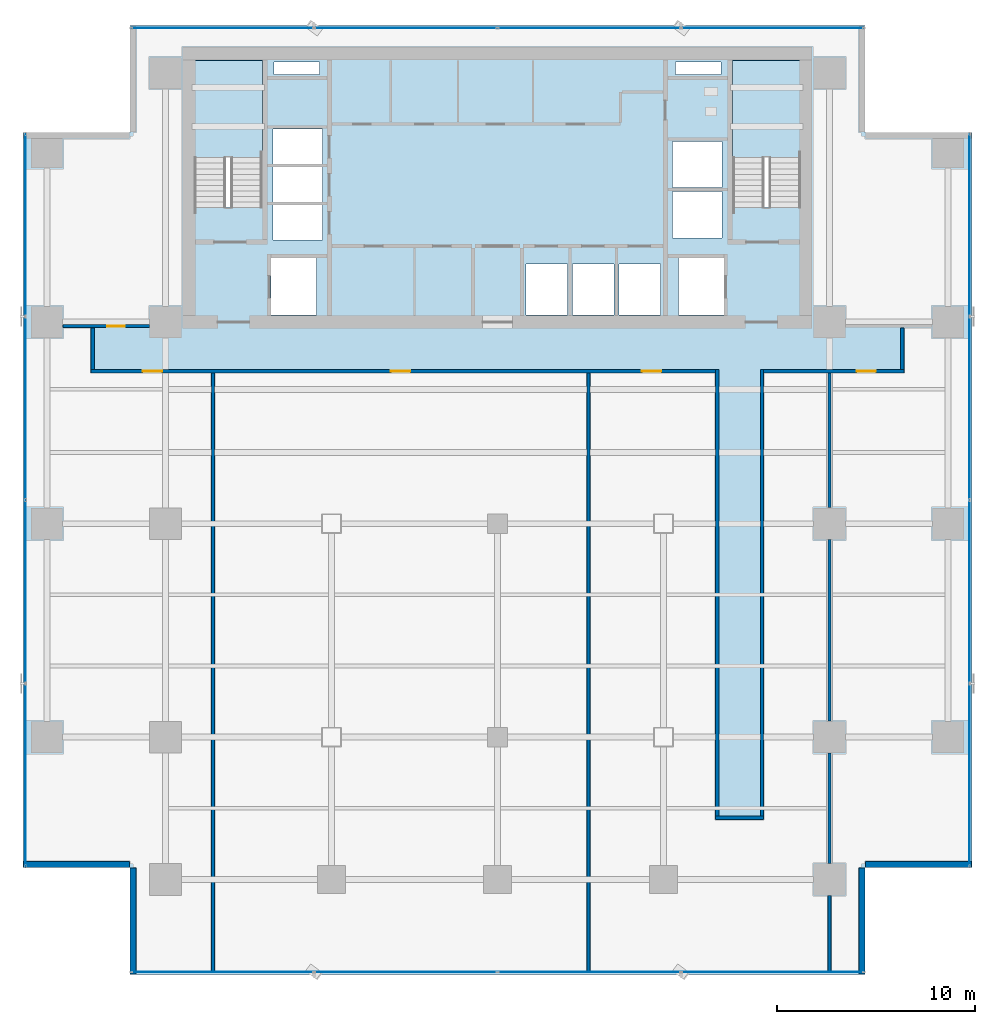
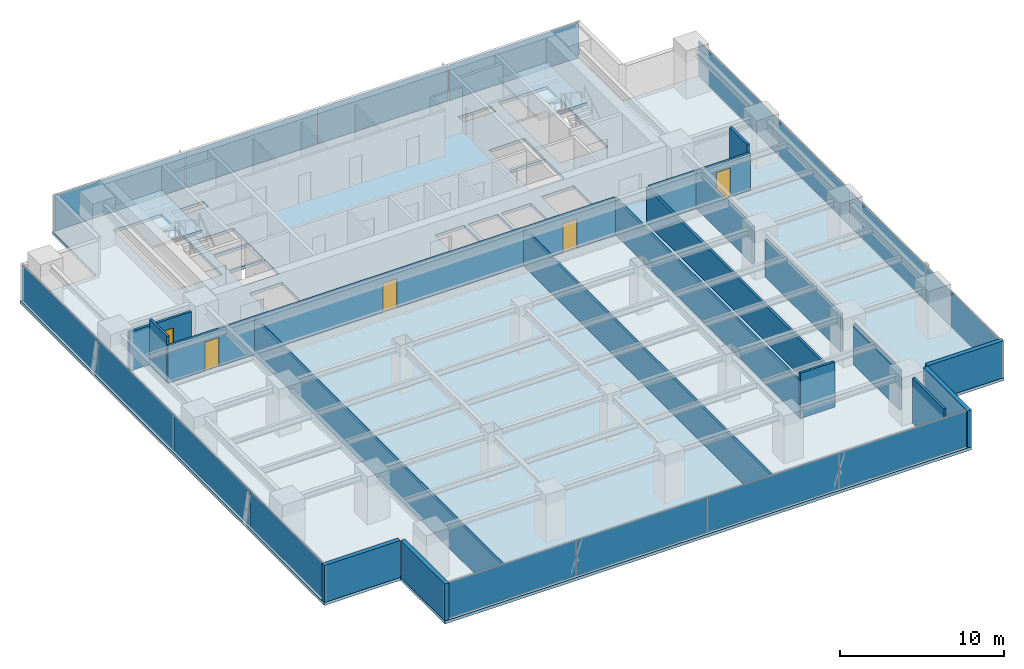
# One storey, part 20 of 27: 18 walls, 16 plates, 5 doors, 3 slabs, 5 openings, 6 elements without a shape of their own.
"""IFC4 building model written with IfcOpenShell, lengths in metres."""

from ifc_helpers import new_model, si_unit, direction, frame, frame_2d, origin, origin_2d, place, context, subcontext, project, spatial, polyline, rectangle, outline, extrude, source, transform, mapped, material, layer, layer_set, type_object, element, fill, aggregate, save


model = new_model("IFC4")

# Units and contexts
model_context = context("Model", 3, precision=1e-05, world=origin(), true_north=direction((0.0, 1.0)))
body_context = subcontext(model_context, "Body", "Model", "MODEL_VIEW")
ifc_project = project(units=[si_unit("LENGTHUNIT", "METRE"), si_unit("AREAUNIT", "SQUARE_METRE"), si_unit("VOLUMEUNIT", "CUBIC_METRE"), si_unit("PLANEANGLEUNIT", "RADIAN"), si_unit("MASSUNIT", "GRAM", prefix="KILO")], contexts=[model_context])

# Site, building, storey
site_placement = place(None, origin())
site = spatial("IfcSite", under=ifc_project, at=site_placement, CompositionType="ELEMENT")
building_placement = place(site_placement, origin())
building = spatial("IfcBuilding", under=site, at=building_placement, Name="Sumidabori Civic Tower", CompositionType="ELEMENT")
storey_placement = place(building_placement, frame((0.0, 0.0, 160.39990234375)))
storey = spatial("IfcBuildingStorey", under=building, at=storey_placement, Name="L41", CompositionType="ELEMENT", Elevation=160.39990234375)

# Stair, slab
ifc_material_1 = material(Name="Concrete C40/50", Category="concrete")
stair_type = type_object("IfcStairType", Name="ST-CORE-1600", PredefinedType="HALF_TURN_STAIR", material=ifc_material_1)
stair_1_placement = place(storey_placement, origin())
stair_1 = element("IfcStair", 1, at=stair_1_placement, inside=storey, type_object=stair_type, Name="L41 ST-1", PredefinedType="HALF_TURN_STAIR")
ifc_layer_1 = layer(ifc_material_1, 0.199951171875, Name="Concrete C40/50")
ifc_layer_set_1 = layer_set([ifc_layer_1], Name="Concrete C40/50")
slab_type_1 = type_object("IfcSlabType", Name="SL-LAND-200", PredefinedType="LANDING", material=ifc_layer_set_1)
slab_1_placement = place(storey_placement, frame((0.0, 0.0, 1.60009765625)))
slab_1 = element("IfcSlab", 2, at=slab_1_placement, type_object=slab_type_1, Name="ST-1 landing 1", PredefinedType="LANDING", context=body_context, shape_type="SweptSolid", body=[
    extrude(outline(polyline([(-11.89990234375, 18.52001953125), (-11.89990234375, 23.449951171875), (-15.340087890625, 23.449951171875), (-15.340087890625, 18.52001953125), (-11.89990234375, 18.52001953125)])), origin(), (0.0, 0.0, 1.0), 0.199951171875),
])
aggregate(stair_1, [slab_1])

stair_2_placement = place(storey_placement, origin())
stair_2 = element("IfcStair", 3, at=stair_2_placement, inside=storey, type_object=stair_type, Name="L41 ST-2", PredefinedType="HALF_TURN_STAIR")
slab_2_placement = place(storey_placement, frame((0.0, 0.0, 1.60009765625)))
slab_2 = element("IfcSlab", 4, at=slab_2_placement, type_object=slab_type_1, Name="ST-2 landing 1", PredefinedType="LANDING", context=body_context, shape_type="SweptSolid", body=[
    extrude(outline(polyline([(15.340087890625, 18.52001953125), (15.340087890625, 23.449951171875), (11.89990234375, 23.449951171875), (11.89990234375, 18.52001953125), (15.340087890625, 18.52001953125)])), origin(), (0.0, 0.0, 1.0), 0.199951171875),
])
aggregate(stair_2, [slab_2])

# Slab
ifc_layer_2 = layer(ifc_material_1, 0.219970703125, Name="Concrete C40/50")
ifc_layer_set_2 = layer_set([ifc_layer_2], Name="Concrete C40/50")
slab_type_2 = type_object("IfcSlabType", Name="SL-Z3-220", PredefinedType="FLOOR", material=ifc_layer_set_2)
slab_3_placement = place(storey_placement, frame((0.0, 0.0, -0.219970703125)))
element("IfcSlab", 5, at=slab_3_placement, inside=storey, type_object=slab_type_2, Name="Structural Slab L41", PredefinedType="FLOOR", context=body_context, shape_type="SweptSolid", body=[
    extrude(outline(polyline([(-18.60009765625, -22.800048828125), (18.60009765625, -22.800048828125), (18.60009765625, -17.39990234375), (24.0, -17.39990234375), (24.0, 19.800048828125), (18.60009765625, 19.800048828125), (18.60009765625, 25.199951171875), (-18.60009765625, 25.199951171875), (-18.60009765625, 19.800048828125), (-24.0, 19.800048828125), (-24.0, -17.39990234375), (-18.60009765625, -17.39990234375), (-18.60009765625, -22.800048828125)]), holes=[polyline([(-11.89990234375, 16.0), (-11.89990234375, 23.449951171875), (-15.340087890625, 23.449951171875), (-15.340087890625, 16.0), (-11.89990234375, 16.0)]), polyline([(15.340087890625, 16.0), (15.340087890625, 23.449951171875), (11.89990234375, 23.449951171875), (11.89990234375, 16.0), (15.340087890625, 16.0)]), polyline([(-11.449951171875, 10.550048828125), (-9.14990234375, 10.550048828125), (-9.14990234375, 13.449951171875), (-11.449951171875, 13.449951171875), (-11.449951171875, 10.550048828125)]), polyline([(9.14990234375, 10.550048828125), (11.449951171875, 10.550048828125), (11.449951171875, 13.449951171875), (9.14990234375, 13.449951171875), (9.14990234375, 10.550048828125)]), polyline([(1.449951171875, 10.550048828125), (3.550048828125, 10.550048828125), (3.550048828125, 13.14990234375), (1.449951171875, 13.14990234375), (1.449951171875, 10.550048828125)]), polyline([(3.800048828125, 10.550048828125), (5.89990234375, 10.550048828125), (5.89990234375, 13.14990234375), (3.800048828125, 13.14990234375), (3.800048828125, 10.550048828125)]), polyline([(6.14990234375, 10.550048828125), (8.25, 10.550048828125), (8.25, 13.14990234375), (6.14990234375, 13.14990234375), (6.14990234375, 10.550048828125)]), polyline([(-11.35009765625, 14.35009765625), (-8.85009765625, 14.35009765625), (-8.85009765625, 16.1201171875), (-11.35009765625, 16.1201171875), (-11.35009765625, 14.35009765625)]), polyline([(-11.35009765625, 16.27001953125), (-8.85009765625, 16.27001953125), (-8.85009765625, 18.0400390625), (-11.35009765625, 18.0400390625), (-11.35009765625, 16.27001953125)]), polyline([(-11.35009765625, 18.18994140625), (-8.85009765625, 18.18994140625), (-8.85009765625, 19.9599609375), (-11.35009765625, 19.9599609375), (-11.35009765625, 18.18994140625)]), polyline([(8.85009765625, 14.449951171875), (11.35009765625, 14.449951171875), (11.35009765625, 16.800048828125), (8.85009765625, 16.800048828125), (8.85009765625, 14.449951171875)]), polyline([(8.85009765625, 17.0), (11.35009765625, 17.0), (11.35009765625, 19.35009765625), (8.85009765625, 19.35009765625), (8.85009765625, 17.0)]), polyline([(-11.300048828125, 22.719970703125), (-9.0, 22.719970703125), (-9.0, 23.35009765625), (-11.300048828125, 23.35009765625), (-11.300048828125, 22.719970703125)]), polyline([(9.0, 22.719970703125), (11.300048828125, 22.719970703125), (11.300048828125, 23.35009765625), (9.0, 23.35009765625), (9.0, 22.719970703125)])]), origin(), (0.0, 0.0, 1.0), 0.219970703125),
])

# Curtain wall, plates
ifc_material_2 = material(Name="Anodised Bronze Aluminium AW-6063-T6", Category="aluminium")
ifc_layer_3 = layer(ifc_material_2, 0.179931640625, Name="Anodised Bronze Aluminium AW-6063-T6")
ifc_layer_set_3 = layer_set([ifc_layer_3], Name="Anodised Bronze Aluminium AW-6063-T6")
curtain_wall_type = type_object("IfcCurtainWallType", Name="CW-SYS-3", PredefinedType="NOTDEFINED", material=ifc_layer_set_3)
curtain_wall_1_placement = place(storey_placement, origin())
curtain_wall_1 = element("IfcCurtainWall", 6, at=curtain_wall_1_placement, inside=storey, type_object=curtain_wall_type, Name="Curtain Wall CW:L41:R01", PredefinedType="NOTDEFINED")
ifc_material_3 = material(Name="Low-E Solar-Control Vision Glazing", Category="glass")
ifc_layer_4 = layer(ifc_material_3, 0.028076171875, Name="Low-E Solar-Control Vision Glazing")
ifc_layer_set_4 = layer_set([ifc_layer_4], Name="Low-E Solar-Control Vision Glazing")
plate_type = type_object("IfcPlateType", Name="CW-PNL-28", PredefinedType="CURTAIN_PANEL", material=ifc_layer_set_4)
shared_shape_1 = source(origin(), body_context, "Body", "SweptSolid", [
    extrude(rectangle(XDim=9.1875, YDim=0.028076171875, at=origin_2d()), origin(), (0.0, 0.0, 1.0), 2.639892578125),
])
plate_1_placement = place(storey_placement, frame((-13.9111328125, -22.679931640625, 0.06005859375), z_axis=(0.0, 0.0, 1.0), x_axis=(1.0, 0.0, 0.0)))
plate_1 = element("IfcPlate", 7, at=plate_1_placement, type_object=plate_type, Name="CW-3 panel 1.1", PredefinedType="CURTAIN_PANEL", context=body_context, shape_type="MappedRepresentation", body=[
    mapped(shared_shape_1, transform((0.0, 0.0, 0.0), x_axis=(1.0, 0.0, 0.0), y_axis=(0.0, 1.0, 0.0), z_axis=(0.0, 0.0, 1.0), scale=1.0)),
])
plate_2_placement = place(storey_placement, frame((13.9111328125, -22.679931640625, 0.06005859375), z_axis=(0.0, 0.0, 1.0), x_axis=(1.0, 0.0, 0.0)))
plate_2 = element("IfcPlate", 8, at=plate_2_placement, type_object=plate_type, Name="CW-3 panel 4.1", PredefinedType="CURTAIN_PANEL", context=body_context, shape_type="MappedRepresentation", body=[
    mapped(shared_shape_1, transform((0.0, 0.0, 0.0), x_axis=(1.0, 0.0, 0.0), y_axis=(0.0, 1.0, 0.0), z_axis=(0.0, 0.0, 1.0), scale=1.0)),
])

curtain_wall_2_placement = place(storey_placement, origin())
curtain_wall_2 = element("IfcCurtainWall", 9, at=curtain_wall_2_placement, inside=storey, type_object=curtain_wall_type, Name="Curtain Wall CW:L41:R04", PredefinedType="NOTDEFINED")
plate_3_placement = place(storey_placement, frame((23.8798828125, -12.711181640625, 0.06005859375), z_axis=(0.0, 0.0, 1.0), x_axis=(0.0, 1.0, 0.0)))
plate_3 = element("IfcPlate", 10, at=plate_3_placement, type_object=plate_type, Name="CW-3 panel 1.1", PredefinedType="CURTAIN_PANEL", context=body_context, shape_type="MappedRepresentation", body=[
    mapped(shared_shape_1, transform((0.0, 0.0, 0.0), x_axis=(1.0, 0.0, 0.0), y_axis=(0.0, 1.0, 0.0), z_axis=(0.0, 0.0, 1.0), scale=1.0)),
])
plate_4_placement = place(storey_placement, frame((23.8798828125, 15.111328125, 0.06005859375), z_axis=(0.0, 0.0, 1.0), x_axis=(0.0, 1.0, 0.0)))
plate_4 = element("IfcPlate", 11, at=plate_4_placement, type_object=plate_type, Name="CW-3 panel 4.1", PredefinedType="CURTAIN_PANEL", context=body_context, shape_type="MappedRepresentation", body=[
    mapped(shared_shape_1, transform((0.0, 0.0, 0.0), x_axis=(1.0, 0.0, 0.0), y_axis=(0.0, 1.0, 0.0), z_axis=(0.0, 0.0, 1.0), scale=1.0)),
])

curtain_wall_3_placement = place(storey_placement, origin())
curtain_wall_3 = element("IfcCurtainWall", 12, at=curtain_wall_3_placement, inside=storey, type_object=curtain_wall_type, Name="Curtain Wall CW:L41:R07", PredefinedType="NOTDEFINED")
plate_5_placement = place(storey_placement, frame((13.9111328125, 25.080078125, 0.06005859375), z_axis=(0.0, 0.0, 1.0), x_axis=(-1.0, 0.0, 0.0)))
plate_5 = element("IfcPlate", 13, at=plate_5_placement, type_object=plate_type, Name="CW-3 panel 1.1", PredefinedType="CURTAIN_PANEL", context=body_context, shape_type="MappedRepresentation", body=[
    mapped(shared_shape_1, transform((0.0, 0.0, 0.0), x_axis=(1.0, 0.0, 0.0), y_axis=(0.0, 1.0, 0.0), z_axis=(0.0, 0.0, 1.0), scale=1.0)),
])
plate_6_placement = place(storey_placement, frame((-13.9111328125, 25.080078125, 0.06005859375), z_axis=(0.0, 0.0, 1.0), x_axis=(-1.0, 0.0, 0.0)))
plate_6 = element("IfcPlate", 14, at=plate_6_placement, type_object=plate_type, Name="CW-3 panel 4.1", PredefinedType="CURTAIN_PANEL", context=body_context, shape_type="MappedRepresentation", body=[
    mapped(shared_shape_1, transform((0.0, 0.0, 0.0), x_axis=(1.0, 0.0, 0.0), y_axis=(0.0, 1.0, 0.0), z_axis=(0.0, 0.0, 1.0), scale=1.0)),
])

curtain_wall_4_placement = place(storey_placement, origin())
curtain_wall_4 = element("IfcCurtainWall", 15, at=curtain_wall_4_placement, inside=storey, type_object=curtain_wall_type, Name="Curtain Wall CW:L41:R10", PredefinedType="NOTDEFINED")
plate_7_placement = place(storey_placement, frame((-23.8798828125, 15.111328125, 0.06005859375), z_axis=(0.0, 0.0, 1.0), x_axis=(0.0, -1.0, 0.0)))
plate_7 = element("IfcPlate", 16, at=plate_7_placement, type_object=plate_type, Name="CW-3 panel 1.1", PredefinedType="CURTAIN_PANEL", context=body_context, shape_type="MappedRepresentation", body=[
    mapped(shared_shape_1, transform((0.0, 0.0, 0.0), x_axis=(1.0, 0.0, 0.0), y_axis=(0.0, 1.0, 0.0), z_axis=(0.0, 0.0, 1.0), scale=1.0)),
])
plate_8_placement = place(storey_placement, frame((-23.8798828125, -12.711181640625, 0.06005859375), z_axis=(0.0, 0.0, 1.0), x_axis=(0.0, -1.0, 0.0)))
plate_8 = element("IfcPlate", 17, at=plate_8_placement, type_object=plate_type, Name="CW-3 panel 4.1", PredefinedType="CURTAIN_PANEL", context=body_context, shape_type="MappedRepresentation", body=[
    mapped(shared_shape_1, transform((0.0, 0.0, 0.0), x_axis=(1.0, 0.0, 0.0), y_axis=(0.0, 1.0, 0.0), z_axis=(0.0, 0.0, 1.0), scale=1.0)),
])

# Plate
shared_shape_2 = source(origin(), body_context, "Body", "SweptSolid", [
    extrude(rectangle(XDim=9.219970703125, YDim=0.028076171875, at=origin_2d()), origin(), (0.0, 0.0, 1.0), 2.639892578125),
])
plate_9_placement = place(storey_placement, frame((-4.642578125, -22.679931640625, 0.06005859375), z_axis=(0.0, 0.0, 1.0), x_axis=(1.0, 0.0, 0.0)))
plate_9 = element("IfcPlate", 18, at=plate_9_placement, type_object=plate_type, Name="CW-3 panel 2.1", PredefinedType="CURTAIN_PANEL", context=body_context, shape_type="MappedRepresentation", body=[
    mapped(shared_shape_2, transform((0.0, 0.0, 0.0), x_axis=(1.0, 0.0, 0.0), y_axis=(0.0, 1.0, 0.0), z_axis=(0.0, 0.0, 1.0), scale=1.0)),
])

plate_10_placement = place(storey_placement, frame((4.642578125, -22.679931640625, 0.06005859375), z_axis=(0.0, 0.0, 1.0), x_axis=(1.0, 0.0, 0.0)))
plate_10 = element("IfcPlate", 19, at=plate_10_placement, type_object=plate_type, Name="CW-3 panel 3.1", PredefinedType="CURTAIN_PANEL", context=body_context, shape_type="MappedRepresentation", body=[
    mapped(shared_shape_2, transform((0.0, 0.0, 0.0), x_axis=(1.0, 0.0, 0.0), y_axis=(0.0, 1.0, 0.0), z_axis=(0.0, 0.0, 1.0), scale=1.0)),
])

aggregate(curtain_wall_1, [plate_1, plate_9, plate_10, plate_2])

plate_11_placement = place(storey_placement, frame((23.8798828125, -3.4423828125, 0.06005859375), z_axis=(0.0, 0.0, 1.0), x_axis=(0.0, 1.0, 0.0)))
plate_11 = element("IfcPlate", 20, at=plate_11_placement, type_object=plate_type, Name="CW-3 panel 2.1", PredefinedType="CURTAIN_PANEL", context=body_context, shape_type="MappedRepresentation", body=[
    mapped(shared_shape_2, transform((0.0, 0.0, 0.0), x_axis=(1.0, 0.0, 0.0), y_axis=(0.0, 1.0, 0.0), z_axis=(0.0, 0.0, 1.0), scale=1.0)),
])

plate_12_placement = place(storey_placement, frame((23.8798828125, 5.842529296875, 0.06005859375), z_axis=(0.0, 0.0, 1.0), x_axis=(0.0, 1.0, 0.0)))
plate_12 = element("IfcPlate", 21, at=plate_12_placement, type_object=plate_type, Name="CW-3 panel 3.1", PredefinedType="CURTAIN_PANEL", context=body_context, shape_type="MappedRepresentation", body=[
    mapped(shared_shape_2, transform((0.0, 0.0, 0.0), x_axis=(1.0, 0.0, 0.0), y_axis=(0.0, 1.0, 0.0), z_axis=(0.0, 0.0, 1.0), scale=1.0)),
])

aggregate(curtain_wall_2, [plate_3, plate_11, plate_12, plate_4])

plate_13_placement = place(storey_placement, frame((4.642578125, 25.080078125, 0.06005859375), z_axis=(0.0, 0.0, 1.0), x_axis=(-1.0, 0.0, 0.0)))
plate_13 = element("IfcPlate", 22, at=plate_13_placement, type_object=plate_type, Name="CW-3 panel 2.1", PredefinedType="CURTAIN_PANEL", context=body_context, shape_type="MappedRepresentation", body=[
    mapped(shared_shape_2, transform((0.0, 0.0, 0.0), x_axis=(1.0, 0.0, 0.0), y_axis=(0.0, 1.0, 0.0), z_axis=(0.0, 0.0, 1.0), scale=1.0)),
])

plate_14_placement = place(storey_placement, frame((-4.642578125, 25.080078125, 0.06005859375), z_axis=(0.0, 0.0, 1.0), x_axis=(-1.0, 0.0, 0.0)))
plate_14 = element("IfcPlate", 23, at=plate_14_placement, type_object=plate_type, Name="CW-3 panel 3.1", PredefinedType="CURTAIN_PANEL", context=body_context, shape_type="MappedRepresentation", body=[
    mapped(shared_shape_2, transform((0.0, 0.0, 0.0), x_axis=(1.0, 0.0, 0.0), y_axis=(0.0, 1.0, 0.0), z_axis=(0.0, 0.0, 1.0), scale=1.0)),
])

aggregate(curtain_wall_3, [plate_5, plate_13, plate_14, plate_6])

plate_15_placement = place(storey_placement, frame((-23.8798828125, 5.842529296875, 0.06005859375), z_axis=(0.0, 0.0, 1.0), x_axis=(0.0, -1.0, 0.0)))
plate_15 = element("IfcPlate", 24, at=plate_15_placement, type_object=plate_type, Name="CW-3 panel 2.1", PredefinedType="CURTAIN_PANEL", context=body_context, shape_type="MappedRepresentation", body=[
    mapped(shared_shape_2, transform((0.0, 0.0, 0.0), x_axis=(1.0, 0.0, 0.0), y_axis=(0.0, 1.0, 0.0), z_axis=(0.0, 0.0, 1.0), scale=1.0)),
])

plate_16_placement = place(storey_placement, frame((-23.8798828125, -3.4423828125, 0.06005859375), z_axis=(0.0, 0.0, 1.0), x_axis=(0.0, -1.0, 0.0)))
plate_16 = element("IfcPlate", 25, at=plate_16_placement, type_object=plate_type, Name="CW-3 panel 3.1", PredefinedType="CURTAIN_PANEL", context=body_context, shape_type="MappedRepresentation", body=[
    mapped(shared_shape_2, transform((0.0, 0.0, 0.0), x_axis=(1.0, 0.0, 0.0), y_axis=(0.0, 1.0, 0.0), z_axis=(0.0, 0.0, 1.0), scale=1.0)),
])

aggregate(curtain_wall_4, [plate_7, plate_15, plate_16, plate_8])

# Walls
ifc_material_4 = material(Name="Precast concrete C40/50", Category="concrete")
ifc_layer_5 = layer(ifc_material_4, 0.300048828125, Name="Precast concrete C40/50")
ifc_layer_set_5 = layer_set([ifc_layer_5], Name="Precast concrete C40/50")
wall_type_1 = type_object("IfcWallType", Name="WL-EXT-POD300", PredefinedType="STANDARD", material=ifc_layer_set_5)
shared_shape_3 = source(origin(), body_context, "Body", "SweptSolid", [
    extrude(rectangle(XDim=5.360107421875, YDim=0.300048828125, at=frame_2d((2.68017578125, 0.0))), origin(), (0.0, 0.0, 1.0), 2.760009765625),
])
for number, where, z_axis, x_axis, name in (
    (26, (18.449951171875, -22.780029296875, 0.0), (0.0, 0.0, 1.0), (0.0, 1.0, 0.0), "Notched Corner Spandrel Band L41-02"),
    (27, (-18.449951171875, -17.419921875, 0.0), (0.0, 0.0, 1.0), (0.0, -1.0, 0.0), "Notched Corner Spandrel Band L41-12"),
):
    element("IfcWall", number, at=place(storey_placement, frame(where, z_axis=z_axis, x_axis=x_axis)), inside=storey, type_object=wall_type_1, Name=name, PredefinedType="STANDARD", context=body_context, shape_type="MappedRepresentation", body=[
        mapped(shared_shape_3, transform((0.0, 0.0, 0.0), x_axis=(1.0, 0.0, 0.0), y_axis=(0.0, 1.0, 0.0), z_axis=(0.0, 0.0, 1.0), scale=1.0)),
    ])
shared_shape_4 = source(origin(), body_context, "Body", "SweptSolid", [
    extrude(rectangle(XDim=5.35986328125, YDim=0.300048828125, at=frame_2d((2.679931640625, 0.0))), origin(), (0.0, 0.0, 1.0), 2.760009765625),
])
for number, where, z_axis, x_axis, name in (
    (28, (18.6201171875, -17.25, 0.0), (0.0, 0.0, 1.0), (1.0, 0.0, 0.0), "Notched Corner Spandrel Band L41-03"),
    (29, (-23.97998046875, -17.25, 0.0), (0.0, 0.0, 1.0), (1.0, 0.0, 0.0), "Notched Corner Spandrel Band L41-11"),
):
    element("IfcWall", number, at=place(storey_placement, frame(where, z_axis=z_axis, x_axis=x_axis)), inside=storey, type_object=wall_type_1, Name=name, PredefinedType="STANDARD", context=body_context, shape_type="MappedRepresentation", body=[
        mapped(shared_shape_4, transform((0.0, 0.0, 0.0), x_axis=(1.0, 0.0, 0.0), y_axis=(0.0, 1.0, 0.0), z_axis=(0.0, 0.0, 1.0), scale=1.0)),
    ])

# Wall, opening, door
ifc_material_5 = material(Name="Gypsum Plasterboard Acoustic Partition")
ifc_layer_6 = layer(ifc_material_5, 0.1650390625, Name="Gypsum Plasterboard Acoustic Partition")
ifc_layer_set_6 = layer_set([ifc_layer_6], Name="Gypsum Plasterboard Acoustic Partition")
wall_type_2 = type_object("IfcWallType", Name="WL-PART-165", PredefinedType="PARTITIONING", material=ifc_layer_set_6)
shared_shape_5 = source(origin(), body_context, "Body", "SweptSolid", [
    extrude(rectangle(XDim=4.3798828125, YDim=0.1650390625, at=frame_2d((2.18994140625, 0.0))), origin(), (0.0, 0.0, 1.0), 2.9150390625),
])
wall_1_placement = place(storey_placement, frame((-21.989990234375, 10.0, 0.0), z_axis=(0.0, 0.0, 1.0), x_axis=(1.0, 0.0, 0.0)))
wall_1 = element("IfcWall", 30, at=wall_1_placement, inside=storey, type_object=wall_type_2, Name="Interior Partition WL:L41:FLK-NW", PredefinedType="PARTITIONING", context=body_context, shape_type="MappedRepresentation", body=[
    mapped(shared_shape_5, transform((0.0, 0.0, 0.0), x_axis=(1.0, 0.0, 0.0), y_axis=(0.0, 1.0, 0.0), z_axis=(0.0, 0.0, 1.0), scale=1.0)),
])
opening_1_placement = place(wall_1_placement, frame((2.235107421875, 0.0, 0.0)))
opening_1 = element("IfcOpeningElement", 31, at=opening_1_placement, cuts=wall_1, Name="Opening DR-1", PredefinedType="OPENING", context=body_context, shape_type="SweptSolid", body=[
    extrude(rectangle(XDim=0.89990234375, YDim=2.14990234375, at=frame_2d((0.449951171875, 1.074951171875))), frame((0.0, 0.094482421875, 0.0), z_axis=(0.0, -1.0, 0.0), x_axis=(1.0, 0.0, 0.0)), (0.0, 0.0, 1.0), 0.18896484375),
])
ifc_material_6 = material(Name="Japanese Hinoki Timber", Category="wood")
door_type_1 = type_object("IfcDoorType", Name="DR-INT-900", OperationType="NOTDEFINED", PredefinedType="DOOR", material=ifc_material_6)
shared_shape_6 = source(origin(), body_context, "Body", "SweptSolid", [
    extrude(rectangle(XDim=0.89990234375, YDim=2.14990234375, at=frame_2d((0.449951171875, 1.074951171875))), frame((0.0, 0.02490234375, 0.0), z_axis=(0.0, -1.0, 0.0), x_axis=(1.0, 0.0, 0.0)), (0.0, 0.0, 1.0), 0.050048828125),
])
door_1_placement = place(opening_1_placement, origin())
door_1 = element("IfcDoor", 32, at=door_1_placement, inside=storey, type_object=door_type_1, Name="Door DR:L41:FLK-NE", OperationType="SINGLE_SWING_LEFT", OverallHeight=2.14990234375, OverallWidth=0.89990234375, PredefinedType="DOOR", context=body_context, shape_type="MappedRepresentation", body=[
    mapped(shared_shape_6, transform((0.0, 0.0, 0.0), x_axis=(1.0, 0.0, 0.0), y_axis=(0.0, 1.0, 0.0), z_axis=(0.0, 0.0, 1.0), scale=1.0)),
])
fill(opening_1, door_1)

# Walls
shared_shape_7 = source(origin(), body_context, "Body", "SweptSolid", [
    extrude(rectangle(XDim=22.594970703125, YDim=0.1650390625, at=frame_2d((11.29736328125, 0.0))), origin(), (0.0, 0.0, 1.0), 2.6650390625),
])
for number, where, z_axis, x_axis, name in (
    (33, (11.117431640625, -14.794921875, 0.0), (0.0, 0.0, 1.0), (0.0, 1.0, 0.0), "Interior Partition WL:L41:CORR-VL-W"),
    (34, (13.382568359375, -14.794921875, 0.0), (0.0, 0.0, 1.0), (0.0, 1.0, 0.0), "Interior Partition WL:L41:CORR-VL-E"),
):
    element("IfcWall", number, at=place(storey_placement, frame(where, z_axis=z_axis, x_axis=x_axis)), inside=storey, type_object=wall_type_2, Name=name, PredefinedType="PARTITIONING", context=body_context, shape_type="MappedRepresentation", body=[
        mapped(shared_shape_7, transform((0.0, 0.0, 0.0), x_axis=(1.0, 0.0, 0.0), y_axis=(0.0, 1.0, 0.0), z_axis=(0.0, 0.0, 1.0), scale=1.0)),
    ])
shared_shape_8 = source(origin(), body_context, "Body", "SweptSolid", [
    extrude(rectangle(XDim=30.27978515625, YDim=0.1650390625, at=frame_2d((15.139892578125, 0.0))), origin(), (0.0, 0.0, 1.0), 2.6650390625),
])
for number, where, z_axis, x_axis, name in (
    (35, (-14.39990234375, -22.64990234375, 0.0), (0.0, 0.0, 1.0), (0.0, 1.0, 0.0), "Interior Partition WL:L41:VX-N1"),
    (36, (4.60009765625, -22.64990234375, 0.0), (0.0, 0.0, 1.0), (0.0, 1.0, 0.0), "Interior Partition WL:L41:VX-N2"),
):
    element("IfcWall", number, at=place(storey_placement, frame(where, z_axis=z_axis, x_axis=x_axis)), inside=storey, type_object=wall_type_2, Name=name, PredefinedType="PARTITIONING", context=body_context, shape_type="MappedRepresentation", body=[
        mapped(shared_shape_8, transform((0.0, 0.0, 0.0), x_axis=(1.0, 0.0, 0.0), y_axis=(0.0, 1.0, 0.0), z_axis=(0.0, 0.0, 1.0), scale=1.0)),
    ])

# Wall, openings, doors
shared_shape_9 = source(origin(), body_context, "Body", "SweptSolid", [
    extrude(rectangle(XDim=31.599853515625, YDim=0.1650390625, at=frame_2d((15.7998046875, 0.0))), origin(), (0.0, 0.0, 1.0), 2.76513671875),
])
wall_2_placement = place(storey_placement, frame((-20.56494140625, 7.717529296875, 0.0), z_axis=(0.0, 0.0, 1.0), x_axis=(1.0, 0.0, 0.0)))
wall_2 = element("IfcWall", 37, at=wall_2_placement, inside=storey, type_object=wall_type_2, Name="Interior Partition WL:L41:CORR-SW", PredefinedType="PARTITIONING", context=body_context, shape_type="MappedRepresentation", body=[
    mapped(shared_shape_9, transform((0.0, 0.0, 0.0), x_axis=(1.0, 0.0, 0.0), y_axis=(0.0, 1.0, 0.0), z_axis=(0.0, 0.0, 1.0), scale=1.0)),
])
opening_2_placement = place(wall_2_placement, frame((2.61376953125, 0.0, 0.0)))
opening_2 = element("IfcOpeningElement", 38, at=opening_2_placement, cuts=wall_2, Name="Opening DR-3", PredefinedType="OPENING", context=body_context, shape_type="SweptSolid", body=[
    extrude(rectangle(XDim=0.97998046875, YDim=2.14990234375, at=frame_2d((0.489990234375, 1.074951171875))), frame((0.0, 0.094482421875, 0.0), z_axis=(0.0, -1.0, 0.0), x_axis=(1.0, 0.0, 0.0)), (0.0, 0.0, 1.0), 0.18896484375),
])
opening_3_placement = place(wall_2_placement, frame((15.175048828125, 0.0, 0.0)))
opening_3 = element("IfcOpeningElement", 39, at=opening_3_placement, cuts=wall_2, Name="Opening DR-3", PredefinedType="OPENING", context=body_context, shape_type="SweptSolid", body=[
    extrude(rectangle(XDim=0.97998046875, YDim=2.14990234375, at=frame_2d((0.489990234375, 1.074951171875))), frame((0.0, 0.094482421875, 0.0), z_axis=(0.0, -1.0, 0.0), x_axis=(1.0, 0.0, 0.0)), (0.0, 0.0, 1.0), 0.18896484375),
])
opening_4_placement = place(wall_2_placement, frame((27.873779296875, 0.0, 0.0)))
opening_4 = element("IfcOpeningElement", 40, at=opening_4_placement, cuts=wall_2, Name="Opening DR-3", PredefinedType="OPENING", context=body_context, shape_type="SweptSolid", body=[
    extrude(rectangle(XDim=0.97998046875, YDim=2.14990234375, at=frame_2d((0.489990234375, 1.074951171875))), frame((0.0, 0.094482421875, 0.0), z_axis=(0.0, -1.0, 0.0), x_axis=(1.0, 0.0, 0.0)), (0.0, 0.0, 1.0), 0.18896484375),
])
door_type_2 = type_object("IfcDoorType", Name="DR-INT-980", OperationType="NOTDEFINED", PredefinedType="DOOR", material=ifc_material_6)
shared_shape_10 = source(origin(), body_context, "Body", "SweptSolid", [
    extrude(rectangle(XDim=0.97998046875, YDim=2.14990234375, at=frame_2d((0.489990234375, 1.074951171875))), frame((0.0, 0.02490234375, 0.0), z_axis=(0.0, -1.0, 0.0), x_axis=(1.0, 0.0, 0.0)), (0.0, 0.0, 1.0), 0.050048828125),
])
door_2_placement = place(opening_2_placement, origin())
door_2 = element("IfcDoor", 41, at=door_2_placement, inside=storey, type_object=door_type_2, Name="Door DR:L41:D03", OperationType="SINGLE_SWING_LEFT", OverallHeight=2.14990234375, OverallWidth=0.97998046875, PredefinedType="DOOR", context=body_context, shape_type="MappedRepresentation", body=[
    mapped(shared_shape_10, transform((0.0, 0.0, 0.0), x_axis=(1.0, 0.0, 0.0), y_axis=(0.0, 1.0, 0.0), z_axis=(0.0, 0.0, 1.0), scale=1.0)),
])
fill(opening_2, door_2)
door_3_placement = place(opening_3_placement, origin())
door_3 = element("IfcDoor", 42, at=door_3_placement, inside=storey, type_object=door_type_2, Name="Door DR:L41:D04", OperationType="SINGLE_SWING_RIGHT", OverallHeight=2.14990234375, OverallWidth=0.97998046875, PredefinedType="DOOR", context=body_context, shape_type="MappedRepresentation", body=[
    mapped(shared_shape_10, transform((0.0, 0.0, 0.0), x_axis=(1.0, 0.0, 0.0), y_axis=(0.0, 1.0, 0.0), z_axis=(0.0, 0.0, 1.0), scale=1.0)),
])
fill(opening_3, door_3)
door_4_placement = place(opening_4_placement, origin())
door_4 = element("IfcDoor", 43, at=door_4_placement, inside=storey, type_object=door_type_2, Name="Door DR:L41:D05", OperationType="SINGLE_SWING_LEFT", OverallHeight=2.14990234375, OverallWidth=0.97998046875, PredefinedType="DOOR", context=body_context, shape_type="MappedRepresentation", body=[
    mapped(shared_shape_10, transform((0.0, 0.0, 0.0), x_axis=(1.0, 0.0, 0.0), y_axis=(0.0, 1.0, 0.0), z_axis=(0.0, 0.0, 1.0), scale=1.0)),
])
fill(opening_4, door_4)

# Wall, opening, door
shared_shape_11 = source(origin(), body_context, "Body", "SweptSolid", [
    extrude(rectangle(XDim=7.099853515625, YDim=0.1650390625, at=frame_2d((3.5498046875, 0.0))), origin(), (0.0, 0.0, 1.0), 2.76513671875),
])
wall_3_placement = place(storey_placement, frame((13.465087890625, 7.717529296875, 0.0), z_axis=(0.0, 0.0, 1.0), x_axis=(1.0, 0.0, 0.0)))
wall_3 = element("IfcWall", 44, at=wall_3_placement, inside=storey, type_object=wall_type_2, Name="Interior Partition WL:L41:CORR-SE", PredefinedType="PARTITIONING", context=body_context, shape_type="MappedRepresentation", body=[
    mapped(shared_shape_11, transform((0.0, 0.0, 0.0), x_axis=(1.0, 0.0, 0.0), y_axis=(0.0, 1.0, 0.0), z_axis=(0.0, 0.0, 1.0), scale=1.0)),
])
opening_5_placement = place(wall_3_placement, frame((4.706298828125, 0.0, 0.0)))
opening_5 = element("IfcOpeningElement", 45, at=opening_5_placement, cuts=wall_3, Name="Opening DR-3", PredefinedType="OPENING", context=body_context, shape_type="SweptSolid", body=[
    extrude(rectangle(XDim=0.97998046875, YDim=2.14990234375, at=frame_2d((0.489990234375, 1.074951171875))), frame((0.0, 0.094482421875, 0.0), z_axis=(0.0, -1.0, 0.0), x_axis=(1.0, 0.0, 0.0)), (0.0, 0.0, 1.0), 0.18896484375),
])
door_5_placement = place(opening_5_placement, origin())
door_5 = element("IfcDoor", 46, at=door_5_placement, inside=storey, type_object=door_type_2, Name="Door DR:L41:D02", OperationType="SINGLE_SWING_RIGHT", OverallHeight=2.14990234375, OverallWidth=0.97998046875, PredefinedType="DOOR", context=body_context, shape_type="MappedRepresentation", body=[
    mapped(shared_shape_10, transform((0.0, 0.0, 0.0), x_axis=(1.0, 0.0, 0.0), y_axis=(0.0, 1.0, 0.0), z_axis=(0.0, 0.0, 1.0), scale=1.0)),
])
fill(opening_5, door_5)

# Walls
shared_shape_12 = source(origin(), body_context, "Body", "SweptSolid", [
    extrude(rectangle(XDim=2.43017578125, YDim=0.1650390625, at=frame_2d((1.215087890625, 0.0))), origin(), (0.0, 0.0, 1.0), 3.380126953125),
])
wall_4_placement = place(storey_placement, frame((11.034912109375, -14.882568359375, 0.0), z_axis=(0.0, 0.0, 1.0), x_axis=(1.0, 0.0, 0.0)))
element("IfcWall", 47, at=wall_4_placement, inside=storey, type_object=wall_type_2, Name="Interior Partition WL:L41:CORR-CAP-E", PredefinedType="PARTITIONING", context=body_context, shape_type="MappedRepresentation", body=[
    mapped(shared_shape_12, transform((0.0, 0.0, 0.0), x_axis=(1.0, 0.0, 0.0), y_axis=(0.0, 1.0, 0.0), z_axis=(0.0, 0.0, 1.0), scale=1.0)),
])
shared_shape_13 = source(origin(), body_context, "Body", "SweptSolid", [
    extrude(rectangle(XDim=2.107666015625, YDim=0.1650390625, at=frame_2d((1.0537109375, 0.0))), origin(), (0.0, 0.0, 1.0), 3.380126953125),
])
for number, where, z_axis, x_axis, name in (
    (48, (-20.482421875, 7.804931640625, 0.0), (0.0, 0.0, 1.0), (0.0, 1.0, 0.0), "Interior Partition WL:L41:CORR-VNW"),
    (49, (20.482421875, 7.804931640625, 0.0), (0.0, 0.0, 1.0), (0.0, 1.0, 0.0), "Interior Partition WL:L41:CORR-VNE"),
):
    element("IfcWall", number, at=place(storey_placement, frame(where, z_axis=z_axis, x_axis=x_axis)), inside=storey, type_object=wall_type_2, Name=name, PredefinedType="PARTITIONING", context=body_context, shape_type="MappedRepresentation", body=[
        mapped(shared_shape_13, transform((0.0, 0.0, 0.0), x_axis=(1.0, 0.0, 0.0), y_axis=(0.0, 1.0, 0.0), z_axis=(0.0, 0.0, 1.0), scale=1.0)),
    ])
shared_shape_14 = source(origin(), body_context, "Body", "SweptSolid", [
    extrude(rectangle(XDim=3.83984375, YDim=0.1650390625, at=frame_2d((1.919921875, 0.0))), origin(), (0.0, 0.0, 1.0), 3.380126953125),
])
wall_5_placement = place(storey_placement, frame((16.800048828125, -22.64990234375, 0.0), z_axis=(0.0, 0.0, 1.0), x_axis=(0.0, 1.0, 0.0)))
element("IfcWall", 50, at=wall_5_placement, inside=storey, type_object=wall_type_2, Name="Interior Partition WL:L41:VX-N3-1", PredefinedType="PARTITIONING", context=body_context, shape_type="MappedRepresentation", body=[
    mapped(shared_shape_14, transform((0.0, 0.0, 0.0), x_axis=(1.0, 0.0, 0.0), y_axis=(0.0, 1.0, 0.0), z_axis=(0.0, 0.0, 1.0), scale=1.0)),
])
shared_shape_15 = source(origin(), body_context, "Body", "SweptSolid", [
    extrude(rectangle(XDim=5.579833984375, YDim=0.1650390625, at=frame_2d((2.7900390625, 0.0))), origin(), (0.0, 0.0, 1.0), 2.965087890625),
])
wall_6_placement = place(storey_placement, frame((16.800048828125, -17.18994140625, 0.0), z_axis=(0.0, 0.0, 1.0), x_axis=(0.0, 1.0, 0.0)))
element("IfcWall", 51, at=wall_6_placement, inside=storey, type_object=wall_type_2, Name="Interior Partition WL:L41:VX-N3-2", PredefinedType="PARTITIONING", context=body_context, shape_type="MappedRepresentation", body=[
    mapped(shared_shape_15, transform((0.0, 0.0, 0.0), x_axis=(1.0, 0.0, 0.0), y_axis=(0.0, 1.0, 0.0), z_axis=(0.0, 0.0, 1.0), scale=1.0)),
])
shared_shape_16 = source(origin(), body_context, "Body", "SweptSolid", [
    extrude(rectangle(XDim=9.179931640625, YDim=0.1650390625, at=frame_2d((4.58984375, 0.0))), origin(), (0.0, 0.0, 1.0), 2.76513671875),
])
wall_7_placement = place(storey_placement, frame((16.800048828125, -9.989990234375, 0.0), z_axis=(0.0, 0.0, 1.0), x_axis=(0.0, 1.0, 0.0)))
element("IfcWall", 52, at=wall_7_placement, inside=storey, type_object=wall_type_2, Name="Interior Partition WL:L41:VX-N3-3", PredefinedType="PARTITIONING", context=body_context, shape_type="MappedRepresentation", body=[
    mapped(shared_shape_16, transform((0.0, 0.0, 0.0), x_axis=(1.0, 0.0, 0.0), y_axis=(0.0, 1.0, 0.0), z_axis=(0.0, 0.0, 1.0), scale=1.0)),
])
shared_shape_17 = source(origin(), body_context, "Body", "SweptSolid", [
    extrude(rectangle(XDim=6.81982421875, YDim=0.1650390625, at=frame_2d((3.409912109375, 0.0))), origin(), (0.0, 0.0, 1.0), 2.76513671875),
])
wall_8_placement = place(storey_placement, frame((16.800048828125, 0.81005859375, 0.0), z_axis=(0.0, 0.0, 1.0), x_axis=(0.0, 1.0, 0.0)))
element("IfcWall", 53, at=wall_8_placement, inside=storey, type_object=wall_type_2, Name="Interior Partition WL:L41:VX-N3-4", PredefinedType="PARTITIONING", context=body_context, shape_type="MappedRepresentation", body=[
    mapped(shared_shape_17, transform((0.0, 0.0, 0.0), x_axis=(1.0, 0.0, 0.0), y_axis=(0.0, 1.0, 0.0), z_axis=(0.0, 0.0, 1.0), scale=1.0)),
])

save(model, "model.ifc")
